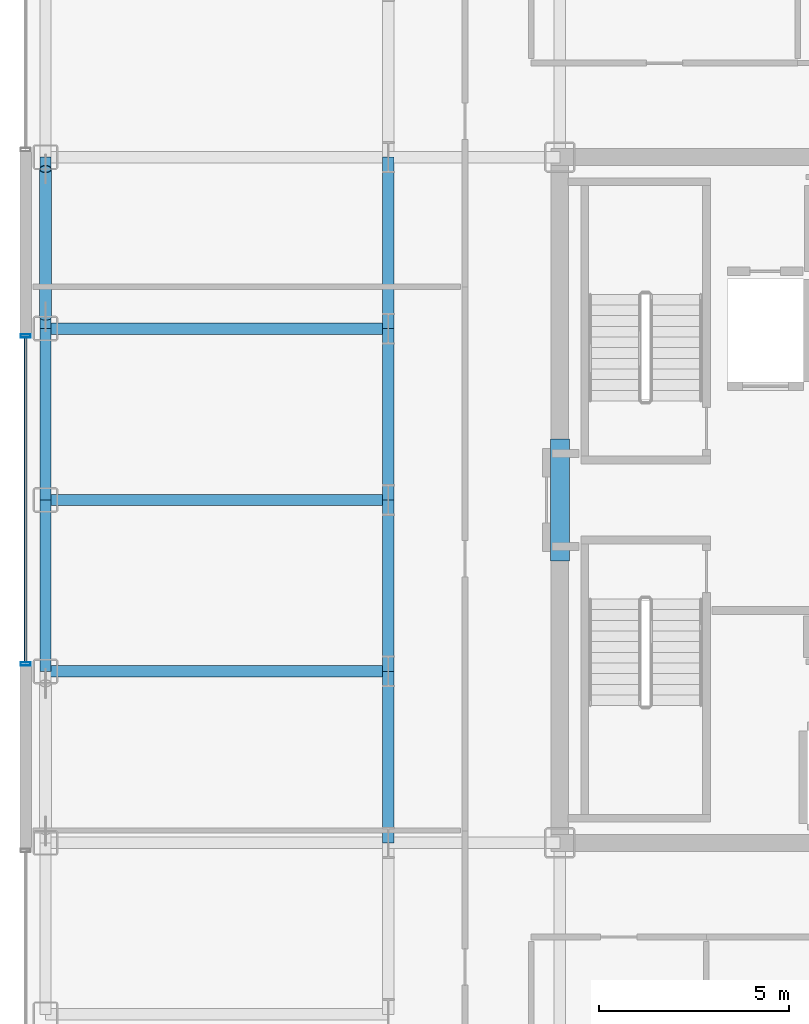
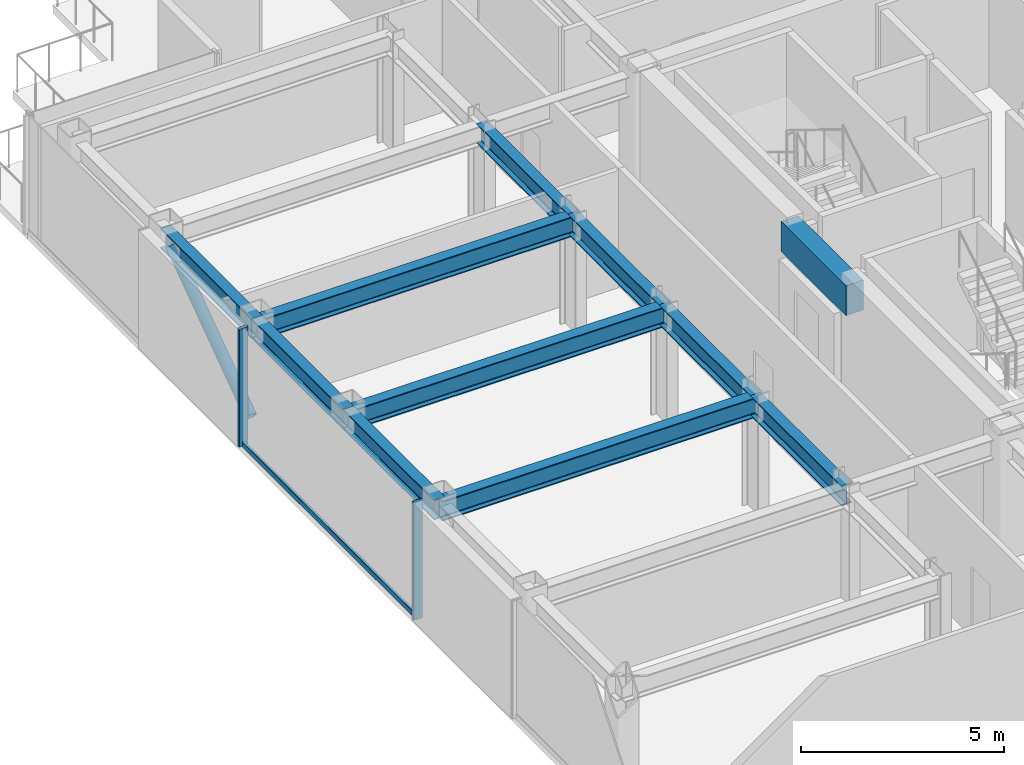
# One storey, part 5 of 22: 11 beams, 4 members, 1 element without a shape of its own.
"""IFC4 building model written with IfcOpenShell, lengths in metres."""

from ifc_helpers import new_model, si_unit, direction, frame, origin, origin_2d, place, context, subcontext, project, spatial, rectangle, hollow_rectangle, hollow_circle, i_section, extrude, source, transform, mapped, material, layer, layer_set, material_profile, profile_set, type_object, element, aggregate, save


model = new_model("IFC4")

# Units and contexts
model_context = context("Model", 3, precision=1e-05, world=origin(), true_north=direction((0.0, 1.0)))
body_context = subcontext(model_context, "Body", "Model", "MODEL_VIEW")
ifc_project = project(units=[si_unit("LENGTHUNIT", "METRE"), si_unit("AREAUNIT", "SQUARE_METRE"), si_unit("VOLUMEUNIT", "CUBIC_METRE"), si_unit("PLANEANGLEUNIT", "RADIAN"), si_unit("MASSUNIT", "GRAM", prefix="KILO")], contexts=[model_context])

# Site, building, storey
site_placement = place(None, origin())
site = spatial("IfcSite", under=ifc_project, at=site_placement, CompositionType="ELEMENT")
building_placement = place(site_placement, origin())
building = spatial("IfcBuilding", under=site, at=building_placement, Name="Nefas-Gora Pilgrimage Tower", CompositionType="ELEMENT")
storey_placement = place(building_placement, frame((0.0, 0.0, 240.800048828125)))
storey = spatial("IfcBuildingStorey", under=building, at=storey_placement, Name="L60", CompositionType="ELEMENT", Elevation=240.800048828125)

# Beams
ifc_material_1 = material(Name="Concrete C50/60", Category="concrete")
ifc_material_profile_1 = material_profile(ifc_material_1, rectangle(XDim=0.5, YDim=0.89990234375, at=origin_2d()), Name="RC 500x900")
ifc_profile_set_1 = profile_set([ifc_material_profile_1], Name="Concrete C50/60")
beam_type_1 = type_object("IfcBeamType", Name="BM-LIN-RC900", PredefinedType="LINTEL", material=ifc_profile_set_1)
shared_shape_1 = source(origin(), body_context, "Body", "SweptSolid", [
    extrude(rectangle(XDim=0.5, YDim=0.89990234375, at=origin_2d()), origin(), (0.0, 0.0, 1.0), 3.2001953125),
])
beam_placement = place(storey_placement, frame((-11.25, -1.60009765625, 3.099853515625), z_axis=(0.0, 1.0, 0.0), x_axis=(-1.0, 0.0, 0.0)))
element("IfcBeam", 1, at=beam_placement, inside=storey, type_object=beam_type_1, Name="L60 Core Coupling Lintel Beam W", PredefinedType="LINTEL", context=body_context, shape_type="MappedRepresentation", body=[
    mapped(shared_shape_1, transform((0.0, 0.0, 0.0), x_axis=(1.0, 0.0, 0.0), y_axis=(0.0, 1.0, 0.0), z_axis=(0.0, 0.0, 1.0), scale=1.0)),
])
ifc_material_2 = material(Name="Steel S355", Category="steel")
ifc_material_profile_2 = material_profile(ifc_material_2, i_section(OverallWidth=0.300048828125, OverallDepth=0.60009765625, WebThickness=0.015380859375, FlangeThickness=0.030029296875, FilletRadius=0.027099609375, at=origin_2d()), Name="HEB 600")
ifc_profile_set_2 = profile_set([ifc_material_profile_2], Name="Steel S355")
beam_type_2 = type_object("IfcBeamType", Name="BM-SPN-HEB450", PredefinedType="SPANDREL", material=ifc_profile_set_2)
shared_shape_2 = source(origin(), body_context, "Body", "SweptSolid", [
    extrude(i_section(OverallWidth=0.300048828125, OverallDepth=0.60009765625, WebThickness=0.015380859375, FlangeThickness=0.030029296875, FilletRadius=0.027099609375, at=origin_2d()), origin(), (0.0, 0.0, 1.0), 4.5),
])
for number, where, z_axis, x_axis, name in (
    (2, (-24.75, -4.5, 3.25), (0.0, 1.0, 0.0), (-1.0, 0.0, 0.0), "L60 SP-03 beam"),
    (3, (-24.75, 0.0, 3.25), (0.0, 1.0, 0.0), (-1.0, 0.0, 0.0), "L60 SP-03 beam"),
    (4, (-24.75, 4.5, 3.25), (0.0, 1.0, 0.0), (-1.0, 0.0, 0.0), "L60 SP-03 beam"),
):
    element("IfcBeam", number, at=place(storey_placement, frame(where, z_axis=z_axis, x_axis=x_axis)), inside=storey, type_object=beam_type_2, Name=name, PredefinedType="SPANDREL", context=body_context, shape_type="MappedRepresentation", body=[
        mapped(shared_shape_2, transform((0.0, 0.0, 0.0), x_axis=(1.0, 0.0, 0.0), y_axis=(0.0, 1.0, 0.0), z_axis=(0.0, 0.0, 1.0), scale=1.0)),
    ])
ifc_material_profile_3 = material_profile(ifc_material_2, i_section(OverallWidth=0.300048828125, OverallDepth=0.60009765625, WebThickness=0.015380859375, FlangeThickness=0.030029296875, FilletRadius=0.027099609375, at=origin_2d()), Name="HEB 600")
ifc_profile_set_3 = profile_set([ifc_material_profile_3], Name="Steel S355")
beam_type_3 = type_object("IfcBeamType", Name="BM-GIR-HEB600", PredefinedType="BEAM", material=ifc_profile_set_3)
shared_shape_3 = source(origin(), body_context, "Body", "SweptSolid", [
    extrude(i_section(OverallWidth=0.300048828125, OverallDepth=0.60009765625, WebThickness=0.015380859375, FlangeThickness=0.030029296875, FilletRadius=0.027099609375, at=origin_2d()), origin(), (0.0, 0.0, 1.0), 9.0),
])
for number, where, z_axis, x_axis, name in (
    (5, (-24.75, -4.5, 3.25), (1.0, 0.0, 0.0), (0.0, 1.0, 0.0), "L60 G-04 beam"),
    (6, (-24.75, 0.0, 3.25), (1.0, 0.0, 0.0), (0.0, 1.0, 0.0), "L60 G-04 beam"),
    (7, (-24.75, 4.5, 3.25), (1.0, 0.0, 0.0), (0.0, 1.0, 0.0), "L60 G-04 beam"),
):
    element("IfcBeam", number, at=place(storey_placement, frame(where, z_axis=z_axis, x_axis=x_axis)), inside=storey, type_object=beam_type_3, Name=name, PredefinedType="BEAM", context=body_context, shape_type="MappedRepresentation", body=[
        mapped(shared_shape_3, transform((0.0, 0.0, 0.0), x_axis=(1.0, 0.0, 0.0), y_axis=(0.0, 1.0, 0.0), z_axis=(0.0, 0.0, 1.0), scale=1.0)),
    ])
shared_shape_4 = source(origin(), body_context, "Body", "SweptSolid", [
    extrude(i_section(OverallWidth=0.300048828125, OverallDepth=0.60009765625, WebThickness=0.015380859375, FlangeThickness=0.030029296875, FilletRadius=0.027099609375, at=origin_2d()), origin(), (0.0, 0.0, 1.0), 4.5),
])
for number, where, z_axis, x_axis, name in (
    (8, (-15.75, -9.0, 3.25), (0.0, 1.0, 0.0), (-1.0, 0.0, 0.0), "L60 G-04 beam"),
    (9, (-15.75, -4.5, 3.25), (0.0, 1.0, 0.0), (-1.0, 0.0, 0.0), "L60 G-04 beam"),
    (10, (-15.75, 0.0, 3.25), (0.0, 1.0, 0.0), (-1.0, 0.0, 0.0), "L60 G-04 beam"),
    (11, (-15.75, 4.5, 3.25), (0.0, 1.0, 0.0), (-1.0, 0.0, 0.0), "L60 G-04 beam"),
):
    element("IfcBeam", number, at=place(storey_placement, frame(where, z_axis=z_axis, x_axis=x_axis)), inside=storey, type_object=beam_type_3, Name=name, PredefinedType="BEAM", context=body_context, shape_type="MappedRepresentation", body=[
        mapped(shared_shape_4, transform((0.0, 0.0, 0.0), x_axis=(1.0, 0.0, 0.0), y_axis=(0.0, 1.0, 0.0), z_axis=(0.0, 0.0, 1.0), scale=1.0)),
    ])

# Member
ifc_material_profile_4 = material_profile(ifc_material_2, hollow_circle(Radius=0.161865234375, WallThickness=0.02001953125, at=origin_2d()), Name="CHS 323.9x20")
ifc_profile_set_4 = profile_set([ifc_material_profile_4], Name="Steel S355")
member_type_1 = type_object("IfcMemberType", Name="MEM-TUBE-324", PredefinedType="BRACE", material=ifc_profile_set_4)
shared_shape_5 = source(origin(), body_context, "Body", "SweptSolid", [
    extrude(hollow_circle(Radius=0.161865234375, WallThickness=0.02001953125, at=origin_2d()), origin(), (0.0, 0.0, 1.0), 4.763671875),
])
member_1_placement = place(storey_placement, frame((-24.75, 4.81298828125, 0.3740234375), z_axis=(0.0, 0.813255312614, 0.581907034246), x_axis=(-1.0, 0.0, 0.0)))
element("IfcMember", 12, at=member_1_placement, inside=storey, type_object=member_type_1, Name="L60 Perimeter Tube Diagonal Brace W2", PredefinedType="BRACE", context=body_context, shape_type="MappedRepresentation", body=[
    mapped(shared_shape_5, transform((0.0, 0.0, 0.0), x_axis=(1.0, 0.0, 0.0), y_axis=(0.0, 1.0, 0.0), z_axis=(0.0, 0.0, 1.0), scale=1.0)),
])

# Curtain wall, members
ifc_material_3 = material(Name="Dark ceramic-fritted solar-control aluminium-glass curtain wall", Category="aluminium")
ifc_layer = layer(ifc_material_3, 0.219970703125)
ifc_layer_set = layer_set([ifc_layer], Name="Dark ceramic-fritted solar-control aluminium-glass curtain wall")
curtain_wall_type = type_object("IfcCurtainWallType", Name="CW-SYS-3", PredefinedType="NOTDEFINED", material=ifc_layer_set)
curtain_wall_placement = place(storey_placement, origin())
curtain_wall = element("IfcCurtainWall", 13, at=curtain_wall_placement, inside=storey, type_object=curtain_wall_type, Name="L60 Unitised Curtain Wall CW3", PredefinedType="NOTDEFINED")
ifc_material_4 = material(Name="Anodised architectural aluminium", Category="aluminium")
ifc_material_profile_5 = material_profile(ifc_material_4, hollow_rectangle(XDim=0.090087890625, YDim=0.260009765625, WallThickness=0.006103515625, InnerFilletRadius=0.006103515625, OuterFilletRadius=0.011962890625, at=origin_2d()), Name="ALU MULLION 90x260")
ifc_profile_set_5 = profile_set([ifc_material_profile_5], Name="Anodised architectural aluminium")
member_type_2 = type_object("IfcMemberType", Name="CWM-MUL-3", PredefinedType="MULLION", material=ifc_profile_set_5)
shared_shape_6 = source(origin(), body_context, "Body", "SweptSolid", [
    extrude(hollow_rectangle(XDim=0.090087890625, YDim=0.260009765625, WallThickness=0.006103515625, InnerFilletRadius=0.006103515625, OuterFilletRadius=0.011962890625, at=origin_2d()), origin(), (0.0, 0.0, 1.0), 3.550048828125),
])
member_2_placement = place(storey_placement, frame((-25.27001953125, 4.304931640625, 0.0), z_axis=(0.0, 0.0, 1.0), x_axis=(0.0, -1.0, 0.0)))
member_2 = element("IfcMember", 14, at=member_2_placement, type_object=member_type_2, Name="CW3 Mullion 1", PredefinedType="MULLION", context=body_context, shape_type="MappedRepresentation", body=[
    mapped(shared_shape_6, transform((0.0, 0.0, 0.0), x_axis=(1.0, 0.0, 0.0), y_axis=(0.0, 1.0, 0.0), z_axis=(0.0, 0.0, 1.0), scale=1.0)),
])
member_3_placement = place(storey_placement, frame((-25.27001953125, -4.304931640625, 0.0), z_axis=(0.0, 0.0, 1.0), x_axis=(0.0, -1.0, 0.0)))
member_3 = element("IfcMember", 15, at=member_3_placement, type_object=member_type_2, Name="CW3 Mullion 2", PredefinedType="MULLION", context=body_context, shape_type="MappedRepresentation", body=[
    mapped(shared_shape_6, transform((0.0, 0.0, 0.0), x_axis=(1.0, 0.0, 0.0), y_axis=(0.0, 1.0, 0.0), z_axis=(0.0, 0.0, 1.0), scale=1.0)),
])
ifc_material_profile_6 = material_profile(ifc_material_4, hollow_rectangle(XDim=0.080078125, YDim=0.159912109375, WallThickness=0.00439453125, InnerFilletRadius=0.00439453125, OuterFilletRadius=0.009033203125, at=origin_2d()), Name="ALU TRANSOM 80x160")
ifc_profile_set_6 = profile_set([ifc_material_profile_6], Name="Anodised architectural aluminium")
member_type_3 = type_object("IfcMemberType", Name="CWM-TRN-3", PredefinedType="USERDEFINED", material=ifc_profile_set_6)
shared_shape_7 = source(origin(), body_context, "Body", "SweptSolid", [
    extrude(hollow_rectangle(XDim=0.080078125, YDim=0.159912109375, WallThickness=0.00439453125, InnerFilletRadius=0.00439453125, OuterFilletRadius=0.009033203125, at=origin_2d()), origin(), (0.0, 0.0, 1.0), 8.52001953125),
])
member_4_placement = place(storey_placement, frame((-25.27001953125, 4.260009765625, 0.050048828125), z_axis=(0.0, -1.0, 0.0), x_axis=(1.0, 0.0, 0.0)))
member_4 = element("IfcMember", 16, at=member_4_placement, type_object=member_type_3, Name="CW3 Spandrel Transom", ObjectType="TRANSOM", PredefinedType="USERDEFINED", context=body_context, shape_type="MappedRepresentation", body=[
    mapped(shared_shape_7, transform((0.0, 0.0, 0.0), x_axis=(1.0, 0.0, 0.0), y_axis=(0.0, 1.0, 0.0), z_axis=(0.0, 0.0, 1.0), scale=1.0)),
])
aggregate(curtain_wall, [member_2, member_3, member_4])

save(model, "model.ifc")
